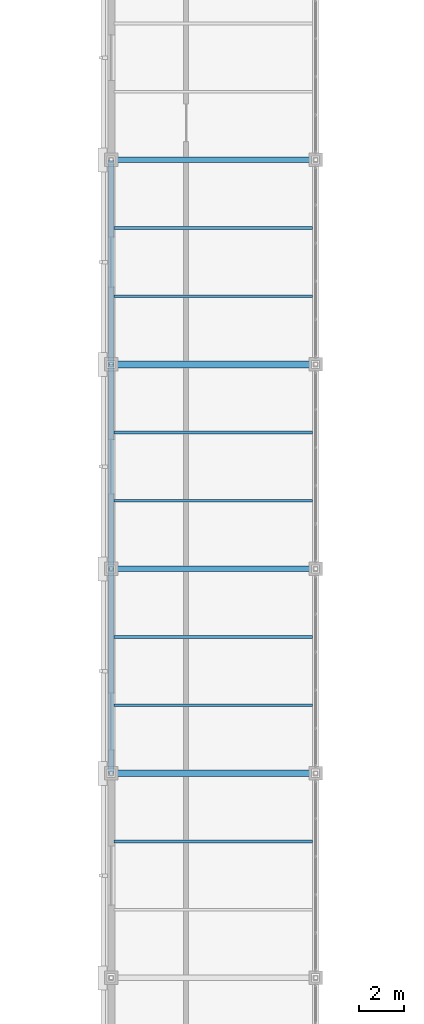
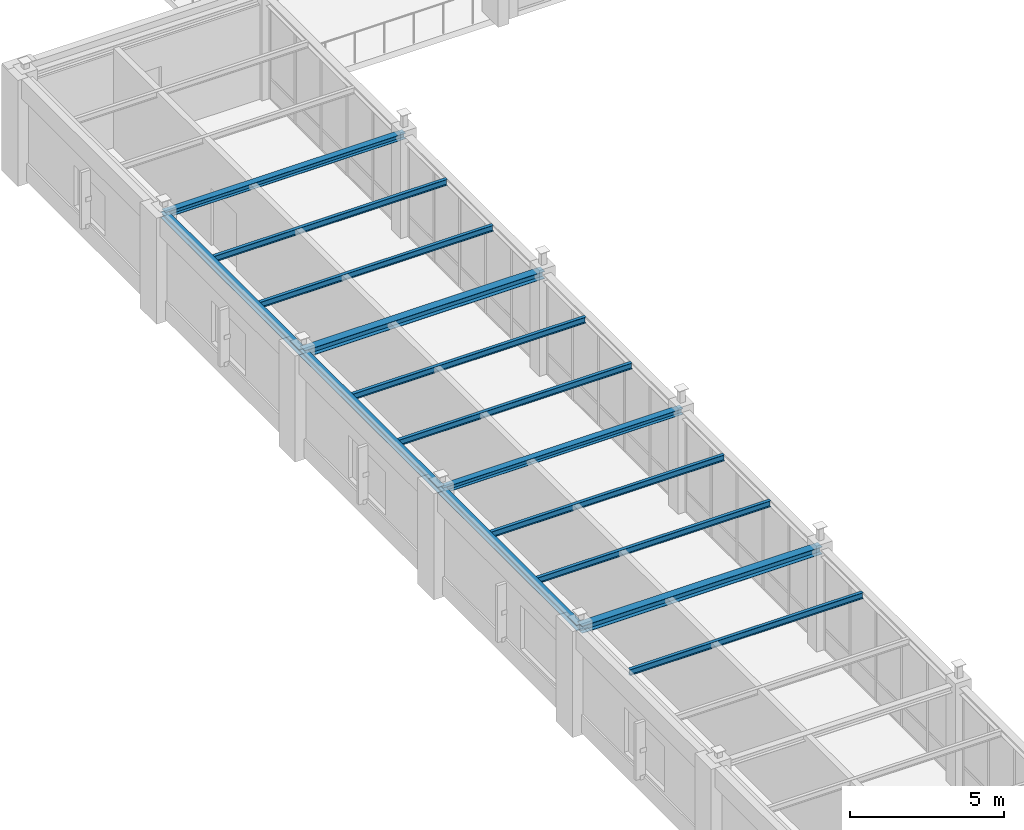
# One storey, part 50 of 97: 14 beams.
"""IFC4 building model written with IfcOpenShell, lengths in metres."""

from ifc_helpers import new_model, si_unit, direction, frame, origin, origin_2d, place, context, subcontext, project, spatial, i_section, extrude, material, material_profile, profile_set, type_object, element, save


model = new_model("IFC4")

# Units and contexts
model_context = context("Model", 3, precision=1e-05, world=origin(), true_north=direction((0.0, 1.0)))
body_context = subcontext(model_context, "Body", "Model", "MODEL_VIEW")
ifc_project = project(units=[si_unit("LENGTHUNIT", "METRE"), si_unit("AREAUNIT", "SQUARE_METRE"), si_unit("VOLUMEUNIT", "CUBIC_METRE"), si_unit("PLANEANGLEUNIT", "RADIAN"), si_unit("MASSUNIT", "GRAM", prefix="KILO")], contexts=[model_context])

# Site, building, storey
site_placement = place(None, origin())
site = spatial("IfcSite", under=ifc_project, at=site_placement, CompositionType="ELEMENT")
building_placement = place(site_placement, origin())
building = spatial("IfcBuilding", under=site, at=building_placement, Name="Lykobir Media Centre", CompositionType="ELEMENT")
storey_placement = place(building_placement, frame((0.0, 0.0, 23.39990234375)))
storey = spatial("IfcBuildingStorey", under=building, at=storey_placement, Name="L05", CompositionType="ELEMENT", Elevation=23.39990234375)

# Beams
ifc_material = material(Name="Steel S355", Category="steel")
ifc_material_profile_1 = material_profile(ifc_material, i_section(OverallWidth=0.300048828125, OverallDepth=0.2900390625, WebThickness=0.008544921875, FlangeThickness=0.013916015625, at=origin_2d()), Name="HEA 300")
ifc_profile_set_1 = profile_set([ifc_material_profile_1], Name="Steel S355")
beam_type_1 = type_object("IfcBeamType", Name="BM-HEA300", PredefinedType="BEAM", material=ifc_profile_set_1)
for number, where, z_axis, x_axis, name in (
    (1, (90.0, 36.0, 3.835205078125), (1.0, 0.0, 0.0), (0.0, 1.0, 0.0), "Beam BM-L05-0900-0360-0990-0360-2724"),
    (2, (90.0, 54.0, 3.835205078125), (1.0, 0.0, 0.0), (0.0, 1.0, 0.0), "Beam BM-L05-0900-0540-0990-0540-2724"),
):
    element("IfcBeam", number, at=place(storey_placement, frame(where, z_axis=z_axis, x_axis=x_axis)), inside=storey, type_object=beam_type_1, Name=name, PredefinedType="BEAM", context=body_context, shape_type="SweptSolid", body=[
        extrude(i_section(OverallWidth=0.300048828125, OverallDepth=0.2900390625, WebThickness=0.008544921875, FlangeThickness=0.013916015625, at=origin_2d()), origin(), (0.0, 0.0, 1.0), 9.0),
    ])
ifc_material_profile_2 = material_profile(ifc_material, i_section(OverallWidth=0.1201171875, OverallDepth=0.239990234375, WebThickness=0.006103515625, FlangeThickness=0.009765625, at=origin_2d()), Name="IPE 240")
ifc_profile_set_2 = profile_set([ifc_material_profile_2], Name="Steel S355")
beam_type_2 = type_object("IfcBeamType", Name="JS-IPE240", PredefinedType="JOIST", material=ifc_profile_set_2)
for number, where, z_axis, x_axis, name in (
    (3, (90.1201171875, 33.0, 3.860107421875), (1.0, 0.0, 0.0), (0.0, 1.0, 0.0), "Beam BM-L05-0901-0330-0989-0330-2726"),
    (4, (90.1201171875, 39.0, 3.860107421875), (1.0, 0.0, 0.0), (0.0, 1.0, 0.0), "Beam BM-L05-0901-0390-0989-0390-2726"),
    (5, (90.1201171875, 42.0, 3.860107421875), (1.0, 0.0, 0.0), (0.0, 1.0, 0.0), "Beam BM-L05-0901-0420-0989-0420-2726"),
    (6, (90.1201171875, 48.0, 3.860107421875), (1.0, 0.0, 0.0), (0.0, 1.0, 0.0), "Beam BM-L05-0901-0480-0989-0480-2726"),
    (7, (90.1201171875, 51.0, 3.860107421875), (1.0, 0.0, 0.0), (0.0, 1.0, 0.0), "Beam BM-L05-0901-0510-0989-0510-2726"),
    (8, (90.1201171875, 57.0, 3.860107421875), (1.0, 0.0, 0.0), (0.0, 1.0, 0.0), "Beam BM-L05-0901-0570-0989-0570-2726"),
    (9, (90.1201171875, 60.0, 3.860107421875), (1.0, 0.0, 0.0), (0.0, 1.0, 0.0), "Beam BM-L05-0901-0600-0989-0600-2726"),
):
    element("IfcBeam", number, at=place(storey_placement, frame(where, z_axis=z_axis, x_axis=x_axis)), inside=storey, type_object=beam_type_2, Name=name, PredefinedType="JOIST", context=body_context, shape_type="SweptSolid", body=[
        extrude(i_section(OverallWidth=0.1201171875, OverallDepth=0.239990234375, WebThickness=0.006103515625, FlangeThickness=0.009765625, at=origin_2d()), origin(), (0.0, 0.0, 1.0), 8.739990234375),
    ])
ifc_material_profile_3 = material_profile(ifc_material, i_section(OverallWidth=0.239990234375, OverallDepth=0.22998046875, WebThickness=0.007568359375, FlangeThickness=0.011962890625, at=origin_2d()), Name="HEA 240")
ifc_profile_set_3 = profile_set([ifc_material_profile_3], Name="Steel S355")
beam_type_3 = type_object("IfcBeamType", Name="SP-HEA240", PredefinedType="SPANDREL", material=ifc_profile_set_3)
for number, where, z_axis, x_axis, name in (
    (10, (90.0, 45.0, 3.864990234375), (1.0, 0.0, 0.0), (0.0, 1.0, 0.0), "Beam BM-L05-0900-0450-0990-0450-2726"),
    (11, (90.0, 63.0, 3.864990234375), (1.0, 0.0, 0.0), (0.0, 1.0, 0.0), "Beam BM-L05-0900-0630-0990-0630-2726"),
):
    element("IfcBeam", number, at=place(storey_placement, frame(where, z_axis=z_axis, x_axis=x_axis)), inside=storey, type_object=beam_type_3, Name=name, PredefinedType="SPANDREL", context=body_context, shape_type="SweptSolid", body=[
        extrude(i_section(OverallWidth=0.239990234375, OverallDepth=0.22998046875, WebThickness=0.007568359375, FlangeThickness=0.011962890625, at=origin_2d()), origin(), (0.0, 0.0, 1.0), 9.0),
    ])
ifc_material_profile_4 = material_profile(ifc_material, i_section(OverallWidth=0.239990234375, OverallDepth=0.22998046875, WebThickness=0.007568359375, FlangeThickness=0.011962890625, at=origin_2d()), Name="HEA 240")
ifc_profile_set_4 = profile_set([ifc_material_profile_4], Name="Steel S355")
beam_type_4 = type_object("IfcBeamType", Name="SP-HEA240-E", PredefinedType="SPANDREL", material=ifc_profile_set_4)
for number, where, z_axis, x_axis, name in (
    (12, (90.0, 36.0, 3.864990234375), (0.0, 1.0, 0.0), (-1.0, 0.0, 0.0), "Beam BM-L05-0900-0360-0900-0450-2726"),
    (13, (90.0, 45.0, 3.864990234375), (0.0, 1.0, 0.0), (-1.0, 0.0, 0.0), "Beam BM-L05-0900-0450-0900-0540-2726"),
    (14, (90.0, 54.0, 3.864990234375), (0.0, 1.0, 0.0), (-1.0, 0.0, 0.0), "Beam BM-L05-0900-0540-0900-0630-2726"),
):
    element("IfcBeam", number, at=place(storey_placement, frame(where, z_axis=z_axis, x_axis=x_axis)), inside=storey, type_object=beam_type_4, Name=name, PredefinedType="SPANDREL", context=body_context, shape_type="SweptSolid", body=[
        extrude(i_section(OverallWidth=0.239990234375, OverallDepth=0.22998046875, WebThickness=0.007568359375, FlangeThickness=0.011962890625, at=origin_2d()), origin(), (0.0, 0.0, 1.0), 9.0),
    ])

save(model, "model.ifc")
